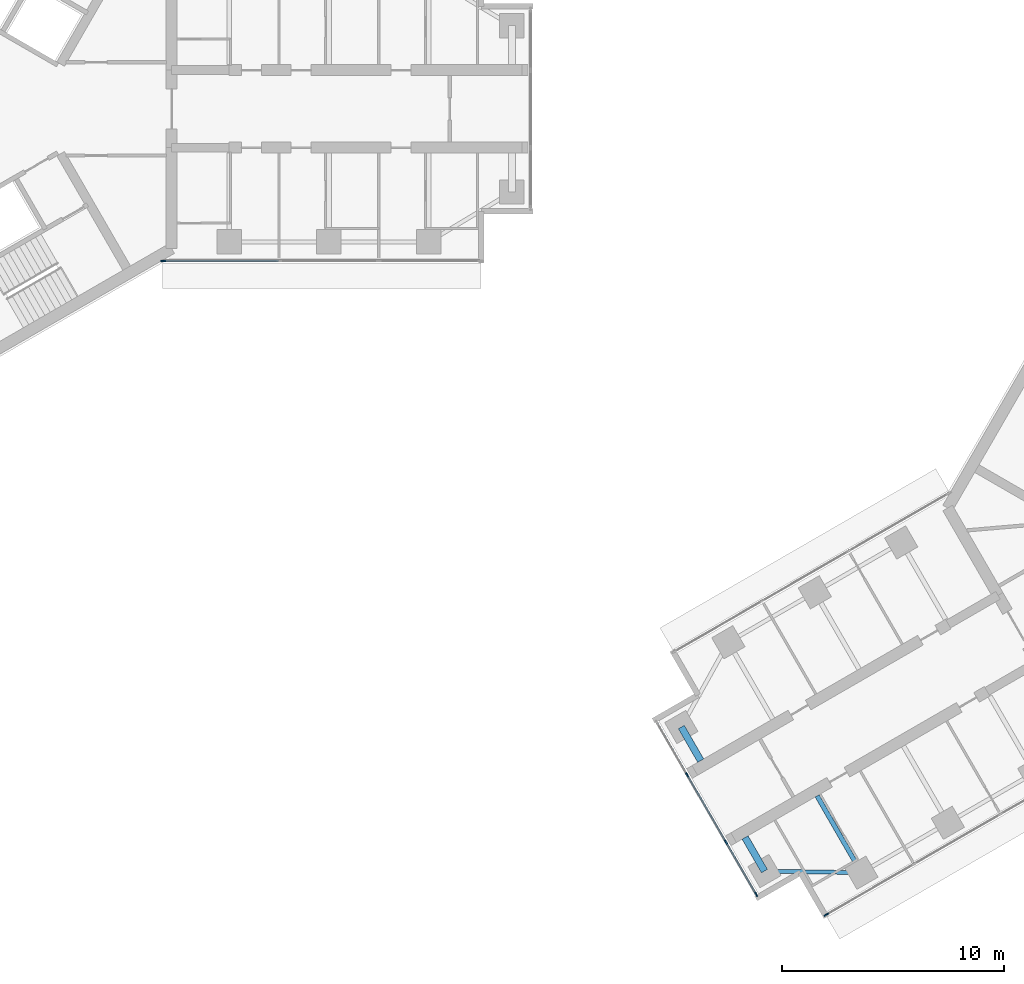
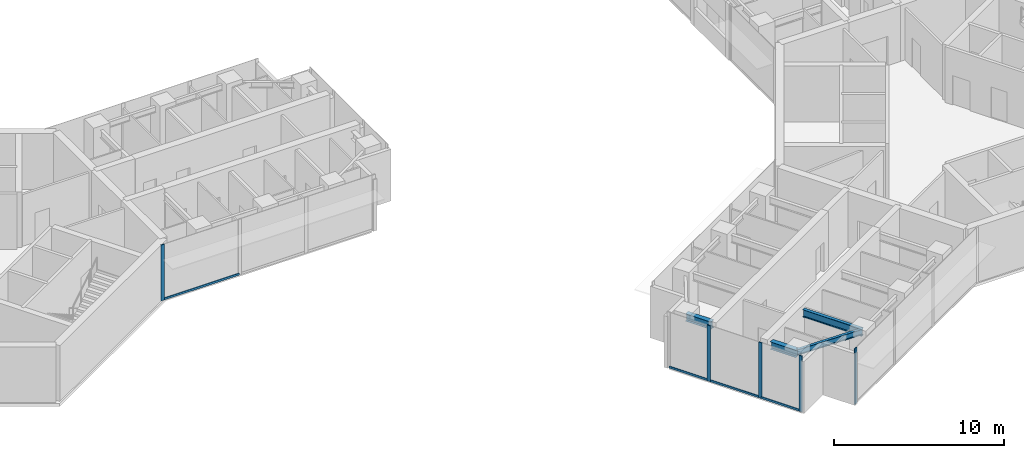
# One storey, part 2 of 17: 9 members, 4 beams, 3 elements without a shape of their own.
"""IFC4 building model written with IfcOpenShell, lengths in metres."""

from ifc_helpers import new_model, si_unit, direction, frame, origin, origin_2d, place, context, subcontext, project, spatial, rectangle, i_section, extrude, material, material_profile, profile_set, type_object, element, aggregate, save


model = new_model("IFC4")

# Units and contexts
model_context = context("Model", 3, precision=1e-05, world=origin(), true_north=direction((0.0, 1.0)))
body_context = subcontext(model_context, "Body", "Model", "MODEL_VIEW")
ifc_project = project(units=[si_unit("LENGTHUNIT", "METRE"), si_unit("AREAUNIT", "SQUARE_METRE"), si_unit("VOLUMEUNIT", "CUBIC_METRE"), si_unit("PLANEANGLEUNIT", "RADIAN"), si_unit("MASSUNIT", "GRAM", prefix="KILO")], contexts=[model_context])

# Site, building, storey
site_placement = place(None, origin())
site = spatial("IfcSite", under=ifc_project, at=site_placement, CompositionType="ELEMENT")
building_placement = place(site_placement, origin())
building = spatial("IfcBuilding", under=site, at=building_placement, Name="Upepo Twin Towers", CompositionType="ELEMENT")
storey_placement = place(building_placement, frame((0.0, 0.0, 234.5)))
storey = spatial("IfcBuildingStorey", under=building, at=storey_placement, Name="L57", CompositionType="ELEMENT", Elevation=234.5)

# Beams
ifc_material_1 = material(Name="Steel S355", Category="steel")
ifc_material_profile_1 = material_profile(ifc_material_1, i_section(OverallWidth=0.177978515625, OverallDepth=0.406494140625, WebThickness=0.0078125, FlangeThickness=0.0126953125, FilletRadius=0.01025390625, at=origin_2d()), Name="UB 406x178x60")
ifc_profile_set_1 = profile_set([ifc_material_profile_1], Name="Steel S355")
beam_type_1 = type_object("IfcBeamType", Name="Beam UB 406x178x60", PredefinedType="BEAM", material=ifc_profile_set_1)
beam_1_placement = place(storey_placement, frame((42.014404296875, -34.446044921875, 3.496826171875), z_axis=(-0.999858804832, 0.016803880528, 0.0), x_axis=(-0.016803880528, -0.999858804832, 0.0)))
element("IfcBeam", 1, at=beam_1_placement, inside=storey, type_object=beam_type_1, Name="T2 nose edge beam BL", PredefinedType="BEAM", context=body_context, shape_type="SweptSolid", body=[
    extrude(i_section(OverallWidth=0.177978515625, OverallDepth=0.406494140625, WebThickness=0.0078125, FlangeThickness=0.0126953125, FilletRadius=0.01025390625, at=origin_2d()), origin(), (0.0, 0.0, 1.0), 4.373291015625),
])
ifc_material_2 = material(Name="Steel S355", Category="steel")
ifc_material_profile_2 = material_profile(ifc_material_2, i_section(OverallWidth=0.209228515625, OverallDepth=0.533203125, WebThickness=0.010009765625, FlangeThickness=0.015625, FilletRadius=0.0126953125, at=origin_2d()), Name="UB 533x210x92")
ifc_profile_set_2 = profile_set([ifc_material_profile_2], Name="Steel S355")
beam_type_2 = type_object("IfcBeamType", Name="Beam UB 533x210x92", PredefinedType="BEAM", material=ifc_profile_set_2)
beam_2_placement = place(storey_placement, frame((42.014404296875, -34.446044921875, 3.433349609375), z_axis=(-0.49999894854, 0.866026010844, 0.0), x_axis=(-0.866026010844, -0.49999894854, 0.0)))
element("IfcBeam", 2, at=beam_2_placement, inside=storey, type_object=beam_type_2, Name="T2 girder BL at 22.5", PredefinedType="BEAM", context=body_context, shape_type="SweptSolid", body=[
    extrude(i_section(OverallWidth=0.209228515625, OverallDepth=0.533203125, WebThickness=0.010009765625, FlangeThickness=0.015625, FilletRadius=0.0126953125, at=origin_2d()), origin(), (0.0, 0.0, 1.0), 4.0),
])
ifc_material_3 = material(Name="Steel S355", Category="steel")
ifc_material_profile_3 = material_profile(ifc_material_3, i_section(OverallWidth=0.31201171875, OverallDepth=0.54345703125, WebThickness=0.0126953125, FlangeThickness=0.020263671875, FilletRadius=0.0126953125, at=origin_2d()), Name="UB 533x312x150")
ifc_profile_set_3 = profile_set([ifc_material_profile_3], Name="Steel S355")
beam_type_3 = type_object("IfcBeamType", Name="Beam UB 533x312x150", PredefinedType="BEAM", material=ifc_profile_set_3)
for number, where, z_axis, x_axis, name in (
    (3, (37.641845703125, -34.37255859375, 3.42822265625), (-0.499980071345, 0.866036909293, 0.0), (-0.866036909293, -0.499980071345, 0.0), "T2 nose beam BL"),
    (4, (33.891845703125, -27.87744140625, 3.42822265625), (0.499980071345, -0.866036909293, 0.0), (0.866036909293, 0.499980071345, 0.0), "T2 nose beam BR"),
):
    element("IfcBeam", number, at=place(storey_placement, frame(where, z_axis=z_axis, x_axis=x_axis)), inside=storey, type_object=beam_type_3, Name=name, PredefinedType="BEAM", context=body_context, shape_type="SweptSolid", body=[
        extrude(i_section(OverallWidth=0.31201171875, OverallDepth=0.54345703125, WebThickness=0.0126953125, FlangeThickness=0.020263671875, FilletRadius=0.0126953125, at=origin_2d()), origin(), (0.0, 0.0, 1.0), 1.75),
    ])

# Curtain wall, member
ifc_material_4 = material(Name="Aluminium and fritted glass", Category="aluminium")
curtain_wall_type = type_object("IfcCurtainWallType", Name="Tower curtain wall TW3, fritted glass", PredefinedType="NOTDEFINED", material=ifc_material_4)
curtain_wall_1_placement = place(storey_placement, origin())
curtain_wall_1 = element("IfcCurtainWall", 5, at=curtain_wall_1_placement, inside=storey, type_object=curtain_wall_type, Name="T1 L57 wing A flank R curtain wall", PredefinedType="NOTDEFINED")
ifc_material_5 = material(Name="Aluminium mullion", Category="aluminium")
ifc_material_profile_4 = material_profile(ifc_material_5, rectangle(XDim=0.06494140625, YDim=0.22509765625, at=origin_2d()), Name="MULLION 65x225")
ifc_profile_set_4 = profile_set([ifc_material_profile_4], Name="Aluminium mullion")
member_type_1 = type_object("IfcMemberType", Name="Mullion 65x225 TW3", PredefinedType="MULLION", material=ifc_profile_set_4)
member_1_placement = place(storey_placement, frame((10.51953125, -6.85009765625, 0.0), z_axis=(0.0, 0.0, 1.0), x_axis=(0.0, -1.0, 0.0)))
member_1 = element("IfcMember", 6, at=member_1_placement, type_object=member_type_1, Name="T1 L57 wing A flank R curtain wall mullion 4", PredefinedType="MULLION", context=body_context, shape_type="SweptSolid", body=[
    extrude(rectangle(XDim=0.06494140625, YDim=0.22509765625, at=origin_2d()), origin(), (0.0, 0.0, 1.0), 4.0),
])

curtain_wall_2_placement = place(storey_placement, origin())
curtain_wall_2 = element("IfcCurtainWall", 7, at=curtain_wall_2_placement, inside=storey, type_object=curtain_wall_type, Name="T2 L57 wing B flank L curtain wall", PredefinedType="NOTDEFINED")
member_2_placement = place(storey_placement, frame((40.432373046875, -36.341064453125, 0.0), z_axis=(0.0, 0.0, 1.0), x_axis=(0.500000026527, -0.866025388469, 0.0)))
member_2 = element("IfcMember", 8, at=member_2_placement, type_object=member_type_1, Name="T2 L57 wing B flank L curtain wall mullion 4", PredefinedType="MULLION", context=body_context, shape_type="SweptSolid", body=[
    extrude(rectangle(XDim=0.06494140625, YDim=0.22509765625, at=origin_2d()), origin(), (0.0, 0.0, 1.0), 4.0),
])
aggregate(curtain_wall_2, [member_2])

# Curtain wall, members
curtain_wall_3_placement = place(storey_placement, origin())
curtain_wall_3 = element("IfcCurtainWall", 9, at=curtain_wall_3_placement, inside=storey, type_object=curtain_wall_type, Name="T2 L57 wing B nose curtain wall", PredefinedType="NOTDEFINED")
member_3_placement = place(storey_placement, frame((34.15576171875, -30.034423828125, 0.0), z_axis=(0.0, 0.0, 1.0), x_axis=(0.866025386174, 0.500000030502, 0.0)))
member_3 = element("IfcMember", 10, at=member_3_placement, type_object=member_type_1, Name="T2 L57 wing B nose curtain wall mullion 2", PredefinedType="MULLION", context=body_context, shape_type="SweptSolid", body=[
    extrude(rectangle(XDim=0.06494140625, YDim=0.22509765625, at=origin_2d()), origin(), (0.0, 0.0, 1.0), 4.0),
])
member_4_placement = place(storey_placement, frame((35.90576171875, -33.0654296875, 0.0), z_axis=(0.0, 0.0, 1.0), x_axis=(0.866025386174, 0.500000030502, 0.0)))
member_4 = element("IfcMember", 11, at=member_4_placement, type_object=member_type_1, Name="T2 L57 wing B nose curtain wall mullion 3", PredefinedType="MULLION", context=body_context, shape_type="SweptSolid", body=[
    extrude(rectangle(XDim=0.06494140625, YDim=0.22509765625, at=origin_2d()), origin(), (0.0, 0.0, 1.0), 4.0),
])
member_5_placement = place(storey_placement, frame((37.264404296875, -35.4189453125, 0.0), z_axis=(0.0, 0.0, 1.0), x_axis=(0.866025386174, 0.500000030502, 0.0)))
member_5 = element("IfcMember", 12, at=member_5_placement, type_object=member_type_1, Name="T2 L57 wing B nose curtain wall mullion 4", PredefinedType="MULLION", context=body_context, shape_type="SweptSolid", body=[
    extrude(rectangle(XDim=0.06494140625, YDim=0.22509765625, at=origin_2d()), origin(), (0.0, 0.0, 1.0), 4.0),
])

# Member
ifc_material_6 = material(Name="Aluminium transom", Category="aluminium")
ifc_material_profile_5 = material_profile(ifc_material_6, rectangle(XDim=0.06494140625, YDim=0.14990234375, at=origin_2d()), Name="TRANSOM 65x150")
ifc_profile_set_5 = profile_set([ifc_material_profile_5], Name="Aluminium transom")
member_type_2 = type_object("IfcMemberType", Name="Transom 65x150 TW3", PredefinedType="USERDEFINED", material=ifc_profile_set_5)
member_6_placement = place(storey_placement, frame((15.717529296875, -6.85009765625, 0.074951171875), z_axis=(-1.0, 0.0, 0.0), x_axis=(0.0, -1.0, 0.0)))
member_6 = element("IfcMember", 13, at=member_6_placement, type_object=member_type_2, Name="T1 L57 wing A flank R curtain wall transom 3", ObjectType="TRANSOM", PredefinedType="USERDEFINED", context=body_context, shape_type="SweptSolid", body=[
    extrude(rectangle(XDim=0.06494140625, YDim=0.14990234375, at=origin_2d()), origin(), (0.0, 0.0, 1.0), 5.16552734375),
])

aggregate(curtain_wall_1, [member_1, member_6])

member_7_placement = place(storey_placement, frame((32.813232421875, -27.709228515625, 0.074951171875), z_axis=(0.499980071345, -0.866036909293, 0.0), x_axis=(0.866036909293, 0.499980071345, 0.0)))
member_7 = element("IfcMember", 14, at=member_7_placement, type_object=member_type_2, Name="T2 L57 wing B nose curtain wall transom 1", ObjectType="TRANSOM", PredefinedType="USERDEFINED", context=body_context, shape_type="SweptSolid", body=[
    extrude(rectangle(XDim=0.06494140625, YDim=0.14990234375, at=origin_2d()), origin(), (0.0, 0.0, 1.0), 2.65234375),
])

member_8_placement = place(storey_placement, frame((34.171875, -30.0625, 0.074951171875), z_axis=(0.499999305434, -0.866025804792, 0.0), x_axis=(0.866025804792, 0.499999305434, 0.0)))
member_8 = element("IfcMember", 15, at=member_8_placement, type_object=member_type_2, Name="T2 L57 wing B nose curtain wall transom 2", ObjectType="TRANSOM", PredefinedType="USERDEFINED", context=body_context, shape_type="SweptSolid", body=[
    extrude(rectangle(XDim=0.06494140625, YDim=0.14990234375, at=origin_2d()), origin(), (0.0, 0.0, 1.0), 3.43505859375),
])

member_9_placement = place(storey_placement, frame((35.921875, -33.09375, 0.074951171875), z_axis=(0.500049101008, -0.865997053448, 0.0), x_axis=(0.865997053448, 0.500049101008, 0.0)))
member_9 = element("IfcMember", 16, at=member_9_placement, type_object=member_type_2, Name="T2 L57 wing B nose curtain wall transom 3", ObjectType="TRANSOM", PredefinedType="USERDEFINED", context=body_context, shape_type="SweptSolid", body=[
    extrude(rectangle(XDim=0.06494140625, YDim=0.14990234375, at=origin_2d()), origin(), (0.0, 0.0, 1.0), 2.652587890625),
])

aggregate(curtain_wall_3, [member_3, member_4, member_5, member_7, member_8, member_9])

save(model, "model.ifc")
